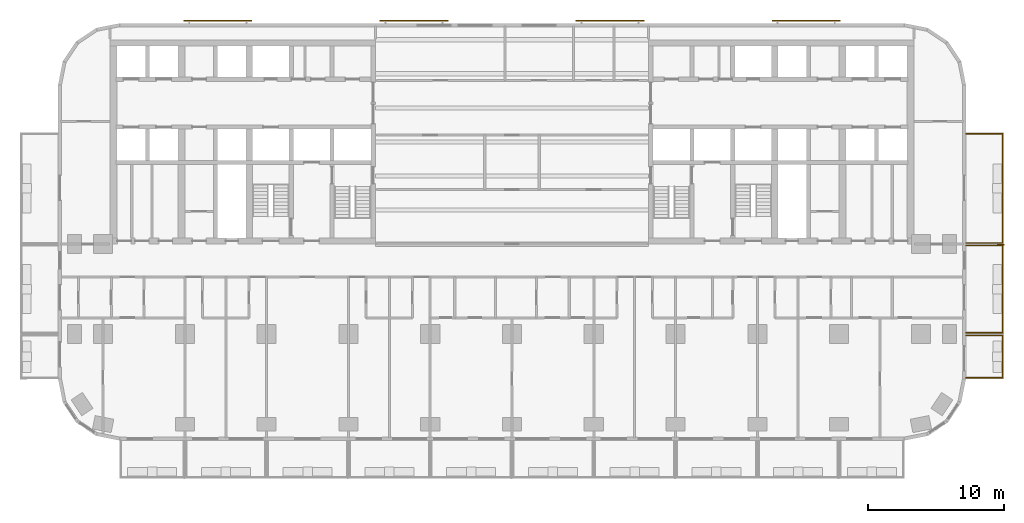
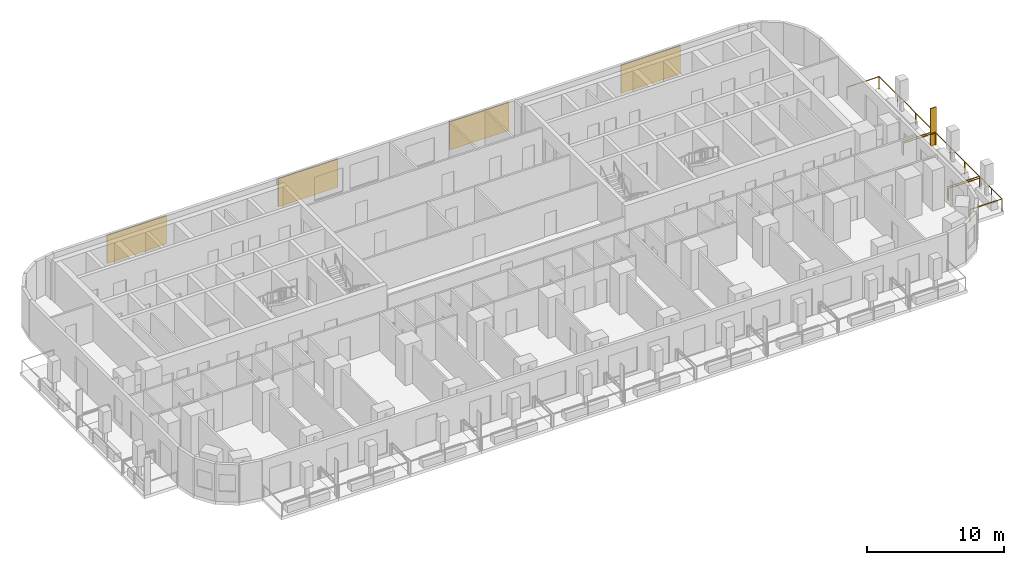
# One storey, part 14 of 15: 5 shading devices, 3 railings.
"""IFC4 building model written with IfcOpenShell, lengths in metres."""

from ifc_helpers import new_model, si_unit, direction, frame, origin, origin_2d, place, context, subcontext, project, spatial, rectangle, circle, extrude, material, layer, layer_set, type_object, element, save


model = new_model("IFC4")

# Units and contexts
model_context = context("Model", 3, precision=1e-05, world=origin(), true_north=direction((0.0, 1.0)))
body_context = subcontext(model_context, "Body", "Model", "MODEL_VIEW")
ifc_project = project(units=[si_unit("LENGTHUNIT", "METRE"), si_unit("AREAUNIT", "SQUARE_METRE"), si_unit("VOLUMEUNIT", "CUBIC_METRE"), si_unit("PLANEANGLEUNIT", "RADIAN"), si_unit("MASSUNIT", "GRAM", prefix="KILO")], contexts=[model_context])

# Site, building, storey
site_placement = place(None, origin())
site = spatial("IfcSite", under=ifc_project, at=site_placement, CompositionType="ELEMENT")
building_placement = place(site_placement, origin())
building = spatial("IfcBuilding", under=site, at=building_placement, Name="Torana Hotel and Residences", CompositionType="ELEMENT")
storey_placement = place(building_placement, frame((0.0, 0.0, 45.60009765625)))
storey = spatial("IfcBuildingStorey", under=building, at=storey_placement, Name="L10", CompositionType="ELEMENT", Elevation=45.60009765625)

# Shading device
ifc_material_1 = material(Name="Black powder coated aluminium", Category="aluminium")
ifc_layer_1 = layer(ifc_material_1, 0.080078125)
ifc_layer_set_1 = layer_set([ifc_layer_1], Name="FN1 VERTICAL FIN 500x80")
shading_device_type_1 = type_object("IfcShadingDeviceType", Name="FN1 VERTICAL FIN 500x80", PredefinedType="USERDEFINED", material=ifc_layer_set_1)
shading_device_placement = place(storey_placement, frame((35.85009765625, -15.0400390625, 0.0), z_axis=(0.0, 0.0, 1.0), x_axis=(0.0, -1.0, 0.0)))
element("IfcShadingDevice", 1, at=shading_device_placement, inside=storey, type_object=shading_device_type_1, Name="Fin 15", ObjectType="FIN", PredefinedType="USERDEFINED", context=body_context, shape_type="SweptSolid", body=[
    extrude(rectangle(XDim=0.080078125, YDim=0.5, at=origin_2d()), origin(), (0.0, 0.0, 1.0), 3.320068359375),
])

# Railings
ifc_material_2 = material(Name="Laminated glass balustrade with black handrail", Category="glass")
railing_type = type_object("IfcRailingType", Name="GR1 BALCONY GUARD 1100 GLASS", PredefinedType="GUARDRAIL", material=ifc_material_2)
railing_1_placement = place(storey_placement, frame((33.300048828125, -21.699951171875, 0.0)))
element("IfcRailing", 2, at=railing_1_placement, inside=storey, type_object=railing_type, Name="Balcony guard 14", PredefinedType="GUARDRAIL", context=body_context, shape_type="SweptSolid", body=[
    extrude(circle(Radius=0.02392578125, at=origin_2d()), frame((0.0, 0.0, 1.076171875), z_axis=(1.0, 0.0, 0.0), x_axis=(0.0, 1.0, 0.0)), (0.0, 0.0, 1.0), 2.699951171875),
    extrude(circle(Radius=0.02392578125, at=origin_2d()), frame((2.699951171875, 0.0, 1.076171875), z_axis=(0.0, -1.0, 0.0), x_axis=(1.0, 0.0, 0.0)), (0.0, 0.0, 1.0), 3.10009765625),
    extrude(circle(Radius=0.02392578125, at=origin_2d()), frame((2.699951171875, -3.10009765625, 1.076171875), z_axis=(-1.0, 0.0, 0.0), x_axis=(0.0, -1.0, 0.0)), (0.0, 0.0, 1.0), 2.699951171875),
    extrude(circle(Radius=0.02099609375, at=origin_2d()), origin(), (0.0, 0.0, 1.0), 1.052001953125),
    extrude(circle(Radius=0.02099609375, at=origin_2d()), frame((2.699951171875, 0.0, 0.0)), (0.0, 0.0, 1.0), 1.052001953125),
    extrude(circle(Radius=0.02099609375, at=origin_2d()), frame((2.699951171875, -1.550048828125, 0.0)), (0.0, 0.0, 1.0), 1.052001953125),
    extrude(circle(Radius=0.02099609375, at=origin_2d()), frame((2.699951171875, -3.10009765625, 0.0)), (0.0, 0.0, 1.0), 1.052001953125),
    extrude(circle(Radius=0.02099609375, at=origin_2d()), frame((0.0, -3.10009765625, 0.0)), (0.0, 0.0, 1.0), 1.052001953125),
])
railing_2_placement = place(storey_placement, frame((33.300048828125, -15.10009765625, 0.0)))
element("IfcRailing", 3, at=railing_2_placement, inside=storey, type_object=railing_type, Name="Balcony guard 15", PredefinedType="GUARDRAIL", context=body_context, shape_type="SweptSolid", body=[
    extrude(circle(Radius=0.02392578125, at=origin_2d()), frame((0.0, 0.0, 1.076171875), z_axis=(1.0, 0.0, 0.0), x_axis=(0.0, 1.0, 0.0)), (0.0, 0.0, 1.0), 2.699951171875),
    extrude(circle(Radius=0.02392578125, at=origin_2d()), frame((2.699951171875, 0.0, 1.076171875), z_axis=(0.0, -1.0, 0.0), x_axis=(1.0, 0.0, 0.0)), (0.0, 0.0, 1.0), 6.39990234375),
    extrude(circle(Radius=0.02392578125, at=origin_2d()), frame((2.699951171875, -6.39990234375, 1.076171875), z_axis=(-1.0, 0.0, 0.0), x_axis=(0.0, -1.0, 0.0)), (0.0, 0.0, 1.0), 2.699951171875),
    extrude(circle(Radius=0.02099609375, at=origin_2d()), origin(), (0.0, 0.0, 1.0), 1.052001953125),
    extrude(circle(Radius=0.02099609375, at=origin_2d()), frame((2.699951171875, 0.0, 0.0)), (0.0, 0.0, 1.0), 1.052001953125),
    extrude(circle(Radius=0.02099609375, at=origin_2d()), frame((2.699951171875, -2.13330078125, 0.0)), (0.0, 0.0, 1.0), 1.052001953125),
    extrude(circle(Radius=0.02099609375, at=origin_2d()), frame((2.699951171875, -4.2666015625, 0.0)), (0.0, 0.0, 1.0), 1.052001953125),
    extrude(circle(Radius=0.02099609375, at=origin_2d()), frame((2.699951171875, -6.39990234375, 0.0)), (0.0, 0.0, 1.0), 1.052001953125),
    extrude(circle(Radius=0.02099609375, at=origin_2d()), frame((0.0, -6.39990234375, 0.0)), (0.0, 0.0, 1.0), 1.052001953125),
])
railing_3_placement = place(storey_placement, frame((33.300048828125, -6.89990234375, 0.0)))
element("IfcRailing", 4, at=railing_3_placement, inside=storey, type_object=railing_type, Name="Balcony guard 16", PredefinedType="GUARDRAIL", context=body_context, shape_type="SweptSolid", body=[
    extrude(circle(Radius=0.02392578125, at=origin_2d()), frame((0.0, 0.0, 1.076171875), z_axis=(1.0, 0.0, 0.0), x_axis=(0.0, 1.0, 0.0)), (0.0, 0.0, 1.0), 2.699951171875),
    extrude(circle(Radius=0.02392578125, at=origin_2d()), frame((2.699951171875, 0.0, 1.076171875), z_axis=(0.0, -1.0, 0.0), x_axis=(1.0, 0.0, 0.0)), (0.0, 0.0, 1.0), 8.0),
    extrude(circle(Radius=0.02392578125, at=origin_2d()), frame((2.699951171875, -8.0, 1.076171875), z_axis=(-1.0, 0.0, 0.0), x_axis=(0.0, -1.0, 0.0)), (0.0, 0.0, 1.0), 2.699951171875),
    extrude(circle(Radius=0.02099609375, at=origin_2d()), origin(), (0.0, 0.0, 1.0), 1.052001953125),
    extrude(circle(Radius=0.02099609375, at=origin_2d()), frame((2.699951171875, 0.0, 0.0)), (0.0, 0.0, 1.0), 1.052001953125),
    extrude(circle(Radius=0.02099609375, at=origin_2d()), frame((2.699951171875, -2.666748046875, 0.0)), (0.0, 0.0, 1.0), 1.052001953125),
    extrude(circle(Radius=0.02099609375, at=origin_2d()), frame((2.699951171875, -5.333251953125, 0.0)), (0.0, 0.0, 1.0), 1.052001953125),
    extrude(circle(Radius=0.02099609375, at=origin_2d()), frame((2.699951171875, -8.0, 0.0)), (0.0, 0.0, 1.0), 1.052001953125),
    extrude(circle(Radius=0.02099609375, at=origin_2d()), frame((0.0, -8.0, 0.0)), (0.0, 0.0, 1.0), 1.052001953125),
])

# Shading devices
ifc_material_3 = material(Name="Concrete C40/50 precast", Category="concrete")
ifc_layer_2 = layer(ifc_material_3, 0.10009765625)
ifc_layer_set_2 = layer_set([ifc_layer_2], Name="SC1 PERFORATED BLOCK SCREEN PANEL 100")
shading_device_type_2 = type_object("IfcShadingDeviceType", Name="SC1 PERFORATED BLOCK SCREEN PANEL 100", PredefinedType="USERDEFINED", material=ifc_layer_set_2)
for number, where, z_axis, x_axis, name in (
    (5, (21.58154296875, 1.39990234375, 0.5), (0.0, 0.0, 1.0), (-1.0, 0.0, 0.0), "Perforated block screen L10"),
    (6, (7.19384765625, 1.39990234375, 0.5), (0.0, 0.0, 1.0), (-1.0, 0.0, 0.0), "Perforated block screen L10"),
    (7, (-7.19384765625, 1.39990234375, 0.5), (0.0, 0.0, 1.0), (-1.0, 0.0, 0.0), "Perforated block screen L10"),
    (8, (-21.58154296875, 1.39990234375, 0.5), (0.0, 0.0, 1.0), (-1.0, 0.0, 0.0), "Perforated block screen L10"),
):
    element("IfcShadingDevice", number, at=place(storey_placement, frame(where, z_axis=z_axis, x_axis=x_axis)), inside=storey, type_object=shading_device_type_2, Name=name, ObjectType="SCREEN", PredefinedType="USERDEFINED", context=body_context, shape_type="SweptSolid", body=[
        extrude(rectangle(XDim=5.0, YDim=0.10009765625, at=origin_2d()), origin(), (0.0, 0.0, 1.0), 2.52001953125),
    ])

save(model, "model.ifc")
